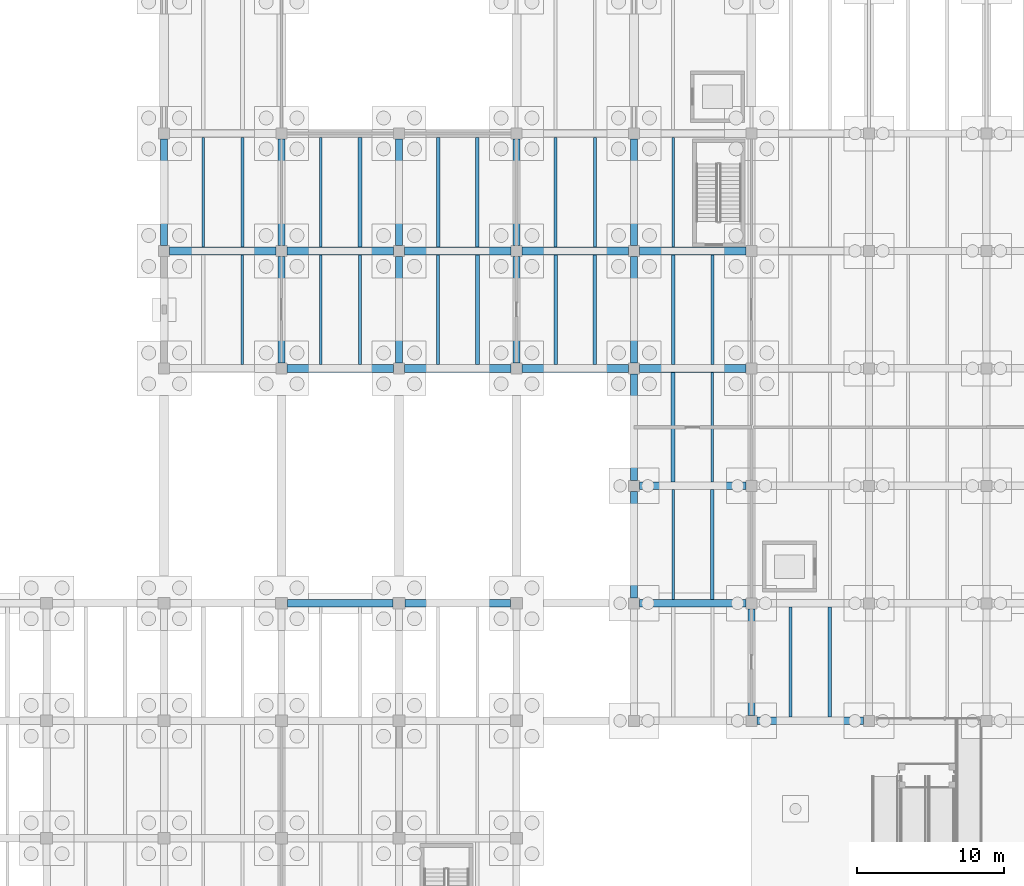
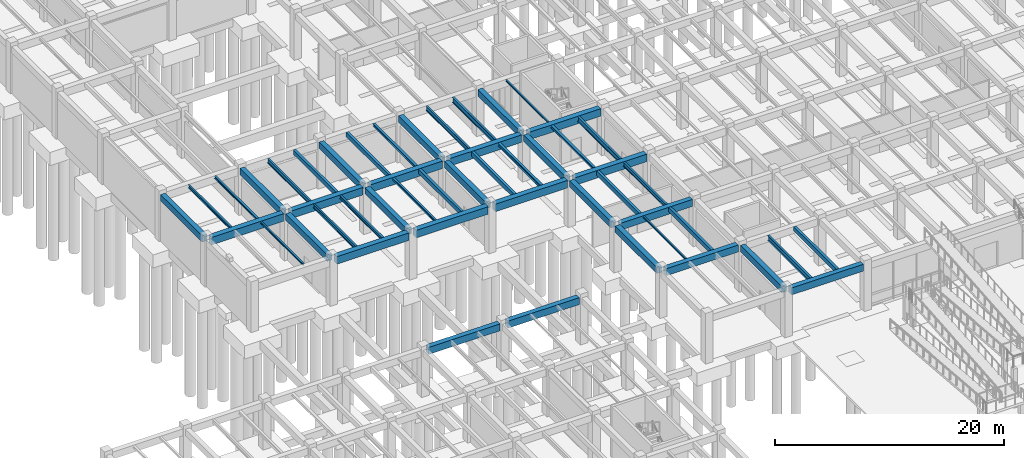
# One storey, part 13 of 44: 50 beams.
"""IFC4 building model written with IfcOpenShell, lengths in metres."""

from ifc_helpers import new_model, si_unit, direction, frame, origin, origin_2d, place, context, subcontext, project, spatial, rectangle, i_section, extrude, material, material_profile, profile_set, type_object, element, save


model = new_model("IFC4")

# Units and contexts
model_context = context("Model", 3, precision=1e-05, world=origin(), true_north=direction((0.0, 1.0)))
body_context = subcontext(model_context, "Body", "Model", "MODEL_VIEW")
ifc_project = project(units=[si_unit("LENGTHUNIT", "METRE"), si_unit("AREAUNIT", "SQUARE_METRE"), si_unit("VOLUMEUNIT", "CUBIC_METRE"), si_unit("PLANEANGLEUNIT", "RADIAN"), si_unit("MASSUNIT", "GRAM", prefix="KILO")], contexts=[model_context])

# Site, building, storey
site_placement = place(None, origin())
site = spatial("IfcSite", under=ifc_project, at=site_placement, CompositionType="ELEMENT")
building_placement = place(site_placement, origin())
building = spatial("IfcBuilding", under=site, at=building_placement, Name="Pecanmere Concourse Central Library", CompositionType="ELEMENT")
storey_placement = place(building_placement, frame((0.0, 0.0, -5.39990234375)))
storey = spatial("IfcBuildingStorey", under=building, at=storey_placement, Name="B1", CompositionType="ELEMENT", Elevation=-5.39990234375)

# Beams
ifc_material_1 = material(Name="Concrete C40/50", Category="concrete")
ifc_material_profile_1 = material_profile(ifc_material_1, rectangle(XDim=0.47998046875, YDim=0.679931640625, at=origin_2d()), Name="RC 480x680")
ifc_profile_set_1 = profile_set([ifc_material_profile_1], Name="Concrete C40/50")
beam_type_1 = type_object("IfcBeamType", Name="GRD_480x680", PredefinedType="USERDEFINED", material=ifc_profile_set_1)
for number, where, z_axis, x_axis, name in (
    (1, (24.0, 56.375, 4.639892578125), (0.0, 1.0, 0.0), (-1.0, 0.0, 0.0), "Primary Girder Y L01-0228"),
    (2, (32.0, 48.375, 4.639892578125), (0.0, 1.0, 0.0), (-1.0, 0.0, 0.0), "Primary Girder Y L01-0238"),
    (3, (32.0, 56.375, 4.639892578125), (0.0, 1.0, 0.0), (-1.0, 0.0, 0.0), "Primary Girder Y L01-0239"),
    (4, (40.0, 48.375, 4.639892578125), (0.0, 1.0, 0.0), (-1.0, 0.0, 0.0), "Primary Girder Y L01-0249"),
    (5, (40.0, 56.375, 4.639892578125), (0.0, 1.0, 0.0), (-1.0, 0.0, 0.0), "Primary Girder Y L01-0250"),
    (6, (48.0, 48.375, 4.639892578125), (0.0, 1.0, 0.0), (-1.0, 0.0, 0.0), "Primary Girder Y L01-0257"),
    (7, (48.0, 56.375, 4.639892578125), (0.0, 1.0, 0.0), (-1.0, 0.0, 0.0), "Primary Girder Y L01-0258"),
    (8, (56.0, 32.375, 4.639892578125), (0.0, 1.0, 0.0), (-1.0, 0.0, 0.0), "Primary Girder Y L01-0265"),
    (9, (56.0, 40.375, 4.639892578125), (0.0, 1.0, 0.0), (-1.0, 0.0, 0.0), "Primary Girder Y L01-0266"),
    (10, (56.0, 48.375, 4.639892578125), (0.0, 1.0, 0.0), (-1.0, 0.0, 0.0), "Primary Girder Y L01-0267"),
    (11, (56.0, 56.375, 4.639892578125), (0.0, 1.0, 0.0), (-1.0, 0.0, 0.0), "Primary Girder Y L01-0268"),
    (12, (64.0, 24.375, 4.639892578125), (0.0, 1.0, 0.0), (-1.0, 0.0, 0.0), "Primary Girder Y L01-0274"),
):
    element("IfcBeam", number, at=place(storey_placement, frame(where, z_axis=z_axis, x_axis=x_axis)), inside=storey, type_object=beam_type_1, Name=name, ObjectType="GIRDER", PredefinedType="USERDEFINED", context=body_context, shape_type="SweptSolid", body=[
        extrude(rectangle(XDim=0.47998046875, YDim=0.679931640625, at=origin_2d()), origin(), (0.0, 0.0, 1.0), 7.25),
    ])
ifc_material_2 = material(Name="Concrete C40/50", Category="concrete")
ifc_material_profile_2 = material_profile(ifc_material_2, rectangle(XDim=0.5, YDim=0.739990234375, at=origin_2d()), Name="RC 500x740")
ifc_profile_set_2 = profile_set([ifc_material_profile_2], Name="Concrete C40/50")
beam_type_2 = type_object("IfcBeamType", Name="GRD_500x740", PredefinedType="USERDEFINED", material=ifc_profile_set_2)
beam_1_placement = place(storey_placement, frame((64.375, 24.0, 4.60986328125), z_axis=(1.0, 0.0, 0.0), x_axis=(0.0, 1.0, 0.0)))
element("IfcBeam", 13, at=beam_1_placement, inside=storey, type_object=beam_type_2, Name="Primary Girder X L01-0044", ObjectType="GIRDER", PredefinedType="USERDEFINED", context=body_context, shape_type="SweptSolid", body=[
    extrude(rectangle(XDim=0.5, YDim=0.739990234375, at=origin_2d()), origin(), (0.0, 0.0, 1.0), 7.25),
])
for number, where, z_axis, x_axis, name in (
    (14, (32.39990234375, 32.0, 4.60986328125), (1.0, 0.0, 0.0), (0.0, 1.0, 0.0), "Primary Girder X L01-0061"),
    (15, (40.39990234375, 32.0, 4.60986328125), (1.0, 0.0, 0.0), (0.0, 1.0, 0.0), "Primary Girder X L01-0062"),
):
    element("IfcBeam", number, at=place(storey_placement, frame(where, z_axis=z_axis, x_axis=x_axis)), inside=storey, type_object=beam_type_2, Name=name, ObjectType="GIRDER", PredefinedType="USERDEFINED", context=body_context, shape_type="SweptSolid", body=[
        extrude(rectangle(XDim=0.5, YDim=0.739990234375, at=origin_2d()), origin(), (0.0, 0.0, 1.0), 7.2001953125),
    ])
for number, where, z_axis, x_axis, name in (
    (16, (56.375, 32.0, 4.60986328125), (1.0, 0.0, 0.0), (0.0, 1.0, 0.0), "Primary Girder X L01-0063"),
    (17, (56.375, 40.0, 4.60986328125), (1.0, 0.0, 0.0), (0.0, 1.0, 0.0), "Primary Girder X L01-0077"),
):
    element("IfcBeam", number, at=place(storey_placement, frame(where, z_axis=z_axis, x_axis=x_axis)), inside=storey, type_object=beam_type_2, Name=name, ObjectType="GIRDER", PredefinedType="USERDEFINED", context=body_context, shape_type="SweptSolid", body=[
        extrude(rectangle(XDim=0.5, YDim=0.739990234375, at=origin_2d()), origin(), (0.0, 0.0, 1.0), 7.25),
    ])
ifc_material_3 = material(Name="Concrete C40/50", Category="concrete")
ifc_material_profile_3 = material_profile(ifc_material_3, rectangle(XDim=0.5400390625, YDim=0.800048828125, at=origin_2d()), Name="RC 540x800")
ifc_profile_set_3 = profile_set([ifc_material_profile_3], Name="Concrete C40/50")
beam_type_3 = type_object("IfcBeamType", Name="GRD_540x800", PredefinedType="USERDEFINED", material=ifc_profile_set_3)
for number, where, z_axis, x_axis, name in (
    (18, (32.375, 48.0, 4.579833984375), (1.0, 0.0, 0.0), (0.0, 1.0, 0.0), "Primary Girder X L01-0086"),
    (19, (40.375, 48.0, 4.579833984375), (1.0, 0.0, 0.0), (0.0, 1.0, 0.0), "Primary Girder X L01-0087"),
    (20, (48.375, 48.0, 4.579833984375), (1.0, 0.0, 0.0), (0.0, 1.0, 0.0), "Primary Girder X L01-0088"),
    (21, (56.375, 48.0, 4.579833984375), (1.0, 0.0, 0.0), (0.0, 1.0, 0.0), "Primary Girder X L01-0089"),
    (22, (24.375, 56.0, 4.579833984375), (1.0, 0.0, 0.0), (0.0, 1.0, 0.0), "Primary Girder X L01-0101"),
    (23, (32.375, 56.0, 4.579833984375), (1.0, 0.0, 0.0), (0.0, 1.0, 0.0), "Primary Girder X L01-0102"),
    (24, (40.375, 56.0, 4.579833984375), (1.0, 0.0, 0.0), (0.0, 1.0, 0.0), "Primary Girder X L01-0103"),
    (25, (48.375, 56.0, 4.579833984375), (1.0, 0.0, 0.0), (0.0, 1.0, 0.0), "Primary Girder X L01-0104"),
    (26, (56.375, 56.0, 4.579833984375), (1.0, 0.0, 0.0), (0.0, 1.0, 0.0), "Primary Girder X L01-0105"),
):
    element("IfcBeam", number, at=place(storey_placement, frame(where, z_axis=z_axis, x_axis=x_axis)), inside=storey, type_object=beam_type_3, Name=name, ObjectType="GIRDER", PredefinedType="USERDEFINED", context=body_context, shape_type="SweptSolid", body=[
        extrude(rectangle(XDim=0.5400390625, YDim=0.800048828125, at=origin_2d()), origin(), (0.0, 0.0, 1.0), 7.25),
    ])
ifc_material_4 = material(Name="Concrete C40/50", Category="concrete")
ifc_material_profile_4 = material_profile(ifc_material_4, rectangle(XDim=0.260009765625, YDim=0.469970703125, at=origin_2d()), Name="RC 260x470")
ifc_profile_set_4 = profile_set([ifc_material_profile_4], Name="Concrete C40/50")
beam_type_4 = type_object("IfcBeamType", Name="JST_RC_260x470", PredefinedType="JOIST", material=ifc_profile_set_4)
for number, where, z_axis, x_axis, name in (
    (27, (37.333251953125, 56.27001953125, 4.744873046875), (0.0, 1.0, 0.0), (-1.0, 0.0, 0.0), "Secondary Floor Joist L01-0474"),
    (28, (45.333251953125, 48.27001953125, 4.744873046875), (0.0, 1.0, 0.0), (-1.0, 0.0, 0.0), "Secondary Floor Joist L01-0487"),
    (29, (42.666748046875, 56.27001953125, 4.744873046875), (0.0, 1.0, 0.0), (-1.0, 0.0, 0.0), "Secondary Floor Joist L01-0488"),
    (30, (50.666748046875, 48.27001953125, 4.744873046875), (0.0, 1.0, 0.0), (-1.0, 0.0, 0.0), "Secondary Floor Joist L01-0494"),
):
    element("IfcBeam", number, at=place(storey_placement, frame(where, z_axis=z_axis, x_axis=x_axis)), inside=storey, type_object=beam_type_4, Name=name, PredefinedType="JOIST", context=body_context, shape_type="SweptSolid", body=[
        extrude(rectangle(XDim=0.260009765625, YDim=0.469970703125, at=origin_2d()), origin(), (0.0, 0.0, 1.0), 7.4599609375),
    ])
beam_2_placement = place(storey_placement, frame((61.333251953125, 32.25, 4.744873046875), z_axis=(0.0, 1.0, 0.0), x_axis=(-1.0, 0.0, 0.0)))
element("IfcBeam", 31, at=beam_2_placement, inside=storey, type_object=beam_type_4, Name="Secondary Floor Joist L01-0511", PredefinedType="JOIST", context=body_context, shape_type="SweptSolid", body=[
    extrude(rectangle(XDim=0.260009765625, YDim=0.469970703125, at=origin_2d()), origin(), (0.0, 0.0, 1.0), 7.5),
])
beam_3_placement = place(storey_placement, frame((58.666748046875, 40.25, 4.744873046875), z_axis=(0.0, 1.0, 0.0), x_axis=(-1.0, 0.0, 0.0)))
element("IfcBeam", 32, at=beam_3_placement, inside=storey, type_object=beam_type_4, Name="Secondary Floor Joist L01-0512", PredefinedType="JOIST", context=body_context, shape_type="SweptSolid", body=[
    extrude(rectangle(XDim=0.260009765625, YDim=0.469970703125, at=origin_2d()), origin(), (0.0, 0.0, 1.0), 7.47998046875),
])
beam_4_placement = place(storey_placement, frame((69.333251953125, 24.25, 4.744873046875), z_axis=(0.0, 1.0, 0.0), x_axis=(-1.0, 0.0, 0.0)))
element("IfcBeam", 33, at=beam_4_placement, inside=storey, type_object=beam_type_4, Name="Secondary Floor Joist L01-0527", PredefinedType="JOIST", context=body_context, shape_type="SweptSolid", body=[
    extrude(rectangle(XDim=0.260009765625, YDim=0.469970703125, at=origin_2d()), origin(), (0.0, 0.0, 1.0), 7.5),
])
ifc_material_5 = material(Name="Structural steel ASTM A992 Grade 50", Category="steel")
ifc_material_profile_5 = material_profile(ifc_material_5, i_section(OverallWidth=0.152099609375, OverallDepth=0.152099609375, WebThickness=0.005859375, FlangeThickness=0.006591796875, at=origin_2d()), Name="W150x22.5")
ifc_profile_set_5 = profile_set([ifc_material_profile_5], Name="Structural steel ASTM A992 Grade 50")
beam_type_5 = type_object("IfcBeamType", Name="SBM_W150x22", PredefinedType="LINTEL", material=ifc_profile_set_5)
beam_5_placement = place(storey_placement, frame((58.666748046875, 32.25, 4.90380859375), z_axis=(0.0, 1.0, 0.0), x_axis=(-1.0, 0.0, 0.0)))
element("IfcBeam", 34, at=beam_5_placement, inside=storey, type_object=beam_type_5, Name="Secondary Floor Joist L01-0510", PredefinedType="LINTEL", context=body_context, shape_type="SweptSolid", body=[
    extrude(i_section(OverallWidth=0.152099609375, OverallDepth=0.152099609375, WebThickness=0.005859375, FlangeThickness=0.006591796875, at=origin_2d()), origin(), (0.0, 0.0, 1.0), 7.5),
])
beam_6_placement = place(storey_placement, frame((58.666748046875, 56.27001953125, 4.90380859375), z_axis=(0.0, 1.0, 0.0), x_axis=(-1.0, 0.0, 0.0)))
element("IfcBeam", 35, at=beam_6_placement, inside=storey, type_object=beam_type_5, Name="Secondary Floor Joist L01-0516", PredefinedType="LINTEL", context=body_context, shape_type="SweptSolid", body=[
    extrude(i_section(OverallWidth=0.152099609375, OverallDepth=0.152099609375, WebThickness=0.005859375, FlangeThickness=0.006591796875, at=origin_2d()), origin(), (0.0, 0.0, 1.0), 7.4599609375),
])
ifc_material_6 = material(Name="Structural steel ASTM A992 Grade 50", Category="steel")
ifc_material_profile_6 = material_profile(ifc_material_6, i_section(OverallWidth=0.1650390625, OverallDepth=0.200927734375, WebThickness=0.006103515625, FlangeThickness=0.01025390625, at=origin_2d()), Name="W200x35.9")
ifc_profile_set_6 = profile_set([ifc_material_profile_6], Name="Structural steel ASTM A992 Grade 50")
beam_type_6 = type_object("IfcBeamType", Name="SBM_W200x36", PredefinedType="LINTEL", material=ifc_profile_set_6)
beam_7_placement = place(storey_placement, frame((29.333251953125, 48.27001953125, 4.87939453125), z_axis=(0.0, 1.0, 0.0), x_axis=(-1.0, 0.0, 0.0)))
element("IfcBeam", 36, at=beam_7_placement, inside=storey, type_object=beam_type_6, Name="Secondary Floor Joist L01-0450", PredefinedType="LINTEL", context=body_context, shape_type="SweptSolid", body=[
    extrude(i_section(OverallWidth=0.1650390625, OverallDepth=0.200927734375, WebThickness=0.006103515625, FlangeThickness=0.01025390625, at=origin_2d()), origin(), (0.0, 0.0, 1.0), 7.4599609375),
])
ifc_material_7 = material(Name="Structural steel ASTM A992 Grade 50", Category="steel")
ifc_material_profile_7 = material_profile(ifc_material_7, i_section(OverallWidth=0.201904296875, OverallDepth=0.2470703125, WebThickness=0.00732421875, FlangeThickness=0.010986328125, at=origin_2d()), Name="W250x49.1")
ifc_profile_set_7 = profile_set([ifc_material_profile_7], Name="Structural steel ASTM A992 Grade 50")
beam_type_7 = type_object("IfcBeamType", Name="SBM_W250x49", PredefinedType="JOIST", material=ifc_profile_set_7)
for number, where, z_axis, x_axis, name in (
    (37, (29.333251953125, 56.27001953125, 4.8564453125), (0.0, 1.0, 0.0), (-1.0, 0.0, 0.0), "Secondary Floor Joist L01-0452"),
    (38, (42.666748046875, 48.27001953125, 4.8564453125), (0.0, 1.0, 0.0), (-1.0, 0.0, 0.0), "Secondary Floor Joist L01-0486"),
):
    element("IfcBeam", number, at=place(storey_placement, frame(where, z_axis=z_axis, x_axis=x_axis)), inside=storey, type_object=beam_type_7, Name=name, PredefinedType="JOIST", context=body_context, shape_type="SweptSolid", body=[
        extrude(i_section(OverallWidth=0.201904296875, OverallDepth=0.2470703125, WebThickness=0.00732421875, FlangeThickness=0.010986328125, at=origin_2d()), origin(), (0.0, 0.0, 1.0), 7.4599609375),
    ])
ifc_material_8 = material(Name="Structural steel ASTM A992 Grade 50", Category="steel")
ifc_material_profile_8 = material_profile(ifc_material_8, i_section(OverallWidth=0.25390625, OverallDepth=0.2529296875, WebThickness=0.008544921875, FlangeThickness=0.01416015625, at=origin_2d()), Name="W250x73")
ifc_profile_set_8 = profile_set([ifc_material_profile_8], Name="Structural steel ASTM A992 Grade 50")
beam_type_8 = type_object("IfcBeamType", Name="SBM_W250x73", PredefinedType="BEAM", material=ifc_profile_set_8)
for number, where, z_axis, x_axis, name in (
    (39, (45.333251953125, 56.27001953125, 4.853515625), (0.0, 1.0, 0.0), (-1.0, 0.0, 0.0), "Secondary Floor Joist L01-0489"),
    (40, (58.666748046875, 48.27001953125, 4.853515625), (0.0, 1.0, 0.0), (-1.0, 0.0, 0.0), "Secondary Floor Joist L01-0514"),
):
    element("IfcBeam", number, at=place(storey_placement, frame(where, z_axis=z_axis, x_axis=x_axis)), inside=storey, type_object=beam_type_8, Name=name, PredefinedType="BEAM", context=body_context, shape_type="SweptSolid", body=[
        extrude(i_section(OverallWidth=0.25390625, OverallDepth=0.2529296875, WebThickness=0.008544921875, FlangeThickness=0.01416015625, at=origin_2d()), origin(), (0.0, 0.0, 1.0), 7.4599609375),
    ])
ifc_material_9 = material(Name="Structural steel ASTM A992 Grade 50", Category="steel")
ifc_material_profile_9 = material_profile(ifc_material_9, i_section(OverallWidth=0.1669921875, OverallDepth=0.31689453125, WebThickness=0.007568359375, FlangeThickness=0.01318359375, at=origin_2d()), Name="W310x52")
ifc_profile_set_9 = profile_set([ifc_material_profile_9], Name="Structural steel ASTM A992 Grade 50")
beam_type_9 = type_object("IfcBeamType", Name="SBM_W310x52", PredefinedType="JOIST", material=ifc_profile_set_9)
beam_8_placement = place(storey_placement, frame((26.666748046875, 56.27001953125, 4.8212890625), z_axis=(0.0, 1.0, 0.0), x_axis=(-1.0, 0.0, 0.0)))
element("IfcBeam", 41, at=beam_8_placement, inside=storey, type_object=beam_type_9, Name="Secondary Floor Joist L01-0451", PredefinedType="JOIST", context=body_context, shape_type="SweptSolid", body=[
    extrude(i_section(OverallWidth=0.1669921875, OverallDepth=0.31689453125, WebThickness=0.007568359375, FlangeThickness=0.01318359375, at=origin_2d()), origin(), (0.0, 0.0, 1.0), 7.4599609375),
])
ifc_material_10 = material(Name="Structural steel ASTM A992 Grade 50", Category="steel")
ifc_material_profile_10 = material_profile(ifc_material_10, i_section(OverallWidth=0.202880859375, OverallDepth=0.346923828125, WebThickness=0.0078125, FlangeThickness=0.013427734375, at=origin_2d()), Name="W360x64")
ifc_profile_set_10 = profile_set([ifc_material_profile_10], Name="Structural steel ASTM A992 Grade 50")
beam_type_10 = type_object("IfcBeamType", Name="SBM_W360x64", PredefinedType="JOIST", material=ifc_profile_set_10)
beam_9_placement = place(storey_placement, frame((37.333251953125, 48.27001953125, 4.806396484375), z_axis=(0.0, 1.0, 0.0), x_axis=(-1.0, 0.0, 0.0)))
element("IfcBeam", 42, at=beam_9_placement, inside=storey, type_object=beam_type_10, Name="Secondary Floor Joist L01-0472", PredefinedType="JOIST", context=body_context, shape_type="SweptSolid", body=[
    extrude(i_section(OverallWidth=0.202880859375, OverallDepth=0.346923828125, WebThickness=0.0078125, FlangeThickness=0.013427734375, at=origin_2d()), origin(), (0.0, 0.0, 1.0), 7.4599609375),
])
ifc_material_11 = material(Name="Structural steel ASTM A992 Grade 50", Category="steel")
ifc_material_profile_11 = material_profile(ifc_material_11, i_section(OverallWidth=0.25390625, OverallDepth=0.35302734375, WebThickness=0.009521484375, FlangeThickness=0.016357421875, at=origin_2d()), Name="W360x91")
ifc_profile_set_11 = profile_set([ifc_material_profile_11], Name="Structural steel ASTM A992 Grade 50")
beam_type_11 = type_object("IfcBeamType", Name="SBM_W360x91", PredefinedType="BEAM", material=ifc_profile_set_11)
beam_10_placement = place(storey_placement, frame((53.333251953125, 48.27001953125, 4.803466796875), z_axis=(0.0, 1.0, 0.0), x_axis=(-1.0, 0.0, 0.0)))
element("IfcBeam", 43, at=beam_10_placement, inside=storey, type_object=beam_type_11, Name="Secondary Floor Joist L01-0495", PredefinedType="BEAM", context=body_context, shape_type="SweptSolid", body=[
    extrude(i_section(OverallWidth=0.25390625, OverallDepth=0.35302734375, WebThickness=0.009521484375, FlangeThickness=0.016357421875, at=origin_2d()), origin(), (0.0, 0.0, 1.0), 7.4599609375),
])
ifc_material_12 = material(Name="Structural steel ASTM A992 Grade 50", Category="steel")
ifc_material_profile_12 = material_profile(ifc_material_12, i_section(OverallWidth=0.177978515625, OverallDepth=0.406982421875, WebThickness=0.0078125, FlangeThickness=0.0126953125, at=origin_2d()), Name="W410x60")
ifc_profile_set_12 = profile_set([ifc_material_profile_12], Name="Structural steel ASTM A992 Grade 50")
beam_type_12 = type_object("IfcBeamType", Name="SBM_W410x60", PredefinedType="JOIST", material=ifc_profile_set_12)
beam_11_placement = place(storey_placement, frame((34.666748046875, 48.27001953125, 4.7763671875), z_axis=(0.0, 1.0, 0.0), x_axis=(-1.0, 0.0, 0.0)))
element("IfcBeam", 44, at=beam_11_placement, inside=storey, type_object=beam_type_12, Name="Secondary Floor Joist L01-0471", PredefinedType="JOIST", context=body_context, shape_type="SweptSolid", body=[
    extrude(i_section(OverallWidth=0.177978515625, OverallDepth=0.406982421875, WebThickness=0.0078125, FlangeThickness=0.0126953125, at=origin_2d()), origin(), (0.0, 0.0, 1.0), 7.4599609375),
])
ifc_material_13 = material(Name="Structural steel ASTM A992 Grade 50", Category="steel")
ifc_material_profile_13 = material_profile(ifc_material_13, i_section(OverallWidth=0.194091796875, OverallDepth=0.468994140625, WebThickness=0.0126953125, FlangeThickness=0.0205078125, at=origin_2d()), Name="W460x106")
ifc_profile_set_13 = profile_set([ifc_material_profile_13], Name="Structural steel ASTM A992 Grade 50")
beam_type_13 = type_object("IfcBeamType", Name="SBM_W460x106", PredefinedType="USERDEFINED", material=ifc_profile_set_13)
beam_12_placement = place(storey_placement, frame((50.666748046875, 56.27001953125, 4.745361328125), z_axis=(0.0, 1.0, 0.0), x_axis=(-1.0, 0.0, 0.0)))
element("IfcBeam", 45, at=beam_12_placement, inside=storey, type_object=beam_type_13, Name="Secondary Floor Joist L01-0496", ObjectType="GIRDER", PredefinedType="USERDEFINED", context=body_context, shape_type="SweptSolid", body=[
    extrude(i_section(OverallWidth=0.194091796875, OverallDepth=0.468994140625, WebThickness=0.0126953125, FlangeThickness=0.0205078125, at=origin_2d()), origin(), (0.0, 0.0, 1.0), 7.4599609375),
])
ifc_material_14 = material(Name="Structural steel ASTM A992 Grade 50", Category="steel")
ifc_material_profile_14 = material_profile(ifc_material_14, i_section(OverallWidth=0.18994140625, OverallDepth=0.45703125, WebThickness=0.009033203125, FlangeThickness=0.014404296875, at=origin_2d()), Name="W460x74")
ifc_profile_set_14 = profile_set([ifc_material_profile_14], Name="Structural steel ASTM A992 Grade 50")
beam_type_14 = type_object("IfcBeamType", Name="SBM_W460x74", PredefinedType="BEAM", material=ifc_profile_set_14)
beam_13_placement = place(storey_placement, frame((34.666748046875, 56.27001953125, 4.75146484375), z_axis=(0.0, 1.0, 0.0), x_axis=(-1.0, 0.0, 0.0)))
element("IfcBeam", 46, at=beam_13_placement, inside=storey, type_object=beam_type_14, Name="Secondary Floor Joist L01-0473", PredefinedType="BEAM", context=body_context, shape_type="SweptSolid", body=[
    extrude(i_section(OverallWidth=0.18994140625, OverallDepth=0.45703125, WebThickness=0.009033203125, FlangeThickness=0.014404296875, at=origin_2d()), origin(), (0.0, 0.0, 1.0), 7.4599609375),
])
beam_14_placement = place(storey_placement, frame((61.333251953125, 40.25, 4.75146484375), z_axis=(0.0, 1.0, 0.0), x_axis=(-1.0, 0.0, 0.0)))
element("IfcBeam", 47, at=beam_14_placement, inside=storey, type_object=beam_type_14, Name="Secondary Floor Joist L01-0513", PredefinedType="BEAM", context=body_context, shape_type="SweptSolid", body=[
    extrude(i_section(OverallWidth=0.18994140625, OverallDepth=0.45703125, WebThickness=0.009033203125, FlangeThickness=0.014404296875, at=origin_2d()), origin(), (0.0, 0.0, 1.0), 7.47998046875),
])
ifc_material_15 = material(Name="Structural steel ASTM A992 Grade 50", Category="steel")
ifc_material_profile_15 = material_profile(ifc_material_15, i_section(OverallWidth=0.2109375, OverallDepth=0.5390625, WebThickness=0.01171875, FlangeThickness=0.018798828125, at=origin_2d()), Name="W530x109")
ifc_profile_set_15 = profile_set([ifc_material_profile_15], Name="Structural steel ASTM A992 Grade 50")
beam_type_15 = type_object("IfcBeamType", Name="SBM_W530x109", PredefinedType="USERDEFINED", material=ifc_profile_set_15)
beam_15_placement = place(storey_placement, frame((53.333251953125, 56.27001953125, 4.71044921875), z_axis=(0.0, 1.0, 0.0), x_axis=(-1.0, 0.0, 0.0)))
element("IfcBeam", 48, at=beam_15_placement, inside=storey, type_object=beam_type_15, Name="Secondary Floor Joist L01-0497", ObjectType="GIRDER", PredefinedType="USERDEFINED", context=body_context, shape_type="SweptSolid", body=[
    extrude(i_section(OverallWidth=0.2109375, OverallDepth=0.5390625, WebThickness=0.01171875, FlangeThickness=0.018798828125, at=origin_2d()), origin(), (0.0, 0.0, 1.0), 7.4599609375),
])
beam_16_placement = place(storey_placement, frame((66.666748046875, 24.25, 4.71044921875), z_axis=(0.0, 1.0, 0.0), x_axis=(-1.0, 0.0, 0.0)))
element("IfcBeam", 49, at=beam_16_placement, inside=storey, type_object=beam_type_15, Name="Secondary Floor Joist L01-0526", ObjectType="GIRDER", PredefinedType="USERDEFINED", context=body_context, shape_type="SweptSolid", body=[
    extrude(i_section(OverallWidth=0.2109375, OverallDepth=0.5390625, WebThickness=0.01171875, FlangeThickness=0.018798828125, at=origin_2d()), origin(), (0.0, 0.0, 1.0), 7.5),
])
ifc_material_16 = material(Name="Structural steel ASTM A992 Grade 50", Category="steel")
ifc_material_profile_16 = material_profile(ifc_material_16, i_section(OverallWidth=0.208984375, OverallDepth=0.532958984375, WebThickness=0.01025390625, FlangeThickness=0.015625, at=origin_2d()), Name="W530x92")
ifc_profile_set_16 = profile_set([ifc_material_profile_16], Name="Structural steel ASTM A992 Grade 50")
beam_type_16 = type_object("IfcBeamType", Name="SBM_W530x92", PredefinedType="BEAM", material=ifc_profile_set_16)
beam_17_placement = place(storey_placement, frame((61.333251953125, 48.27001953125, 4.71337890625), z_axis=(0.0, 1.0, 0.0), x_axis=(-1.0, 0.0, 0.0)))
element("IfcBeam", 50, at=beam_17_placement, inside=storey, type_object=beam_type_16, Name="Secondary Floor Joist L01-0515", PredefinedType="BEAM", context=body_context, shape_type="SweptSolid", body=[
    extrude(i_section(OverallWidth=0.208984375, OverallDepth=0.532958984375, WebThickness=0.01025390625, FlangeThickness=0.015625, at=origin_2d()), origin(), (0.0, 0.0, 1.0), 7.4599609375),
])

save(model, "model.ifc")
